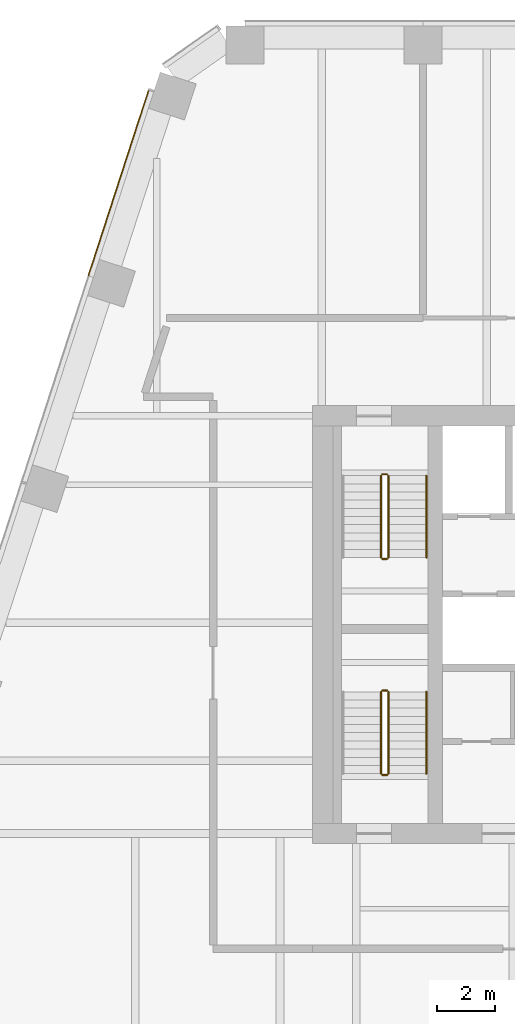
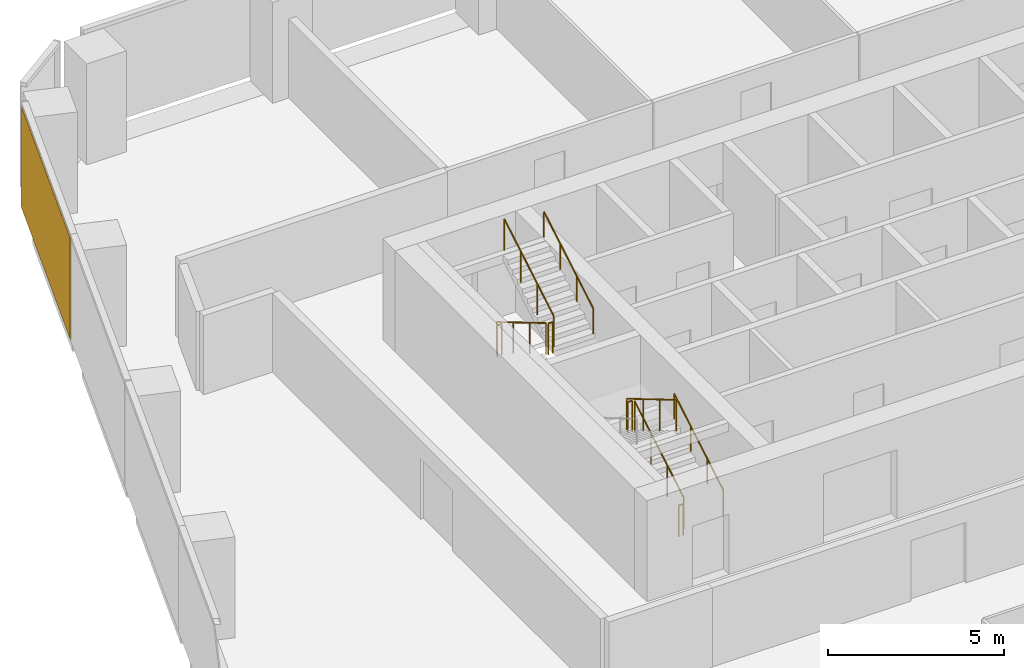
# One storey, part 15 of 16: 10 railings, 1 covering, 1 element without a shape of its own.
"""IFC4 building model written with IfcOpenShell, lengths in metres."""

import ifcopenshell
import ifcopenshell.guid

model = None  # the IFC model being written
_history = None  # IfcOwnerHistory: only IFC2X3 demands one
_inside = {}  # id of a spatial element -> (the spatial element, [elements in it])
_under = {}  # id of a project, library or spatial element -> (it, [spatial elements below it])
_declared = {}  # id of a project -> (the project, [libraries it declares])
_typed = {}  # id of a type object -> (the type object, [elements of that type])
_made_of = {}  # id of a material, layer set ... -> (it, [elements and type objects made of it])


def new_model(schema):
    """Start an empty IFC model of exactly this schema.

    Asked for "IFC4X3", IfcOpenShell would pick the latest addendum, in which some entities
    have other attributes; the version numbers below select the first issue.
    IFC2X3 requires an IfcOwnerHistory on every rooted entity: one is made here for all.
    """
    global model, _history
    if schema == "IFC4X3":
        model = ifcopenshell.file(schema_version=(4, 3, 0, 0))
    else:
        model = ifcopenshell.file(schema=schema)
    _inside.clear()
    _under.clear()
    _declared.clear()
    _typed.clear()
    _made_of.clear()
    _history = None
    if model.schema == "IFC2X3":
        org = make("IfcOrganization", Name="unknown")
        user = make(
            "IfcPersonAndOrganization",
            ThePerson=make("IfcPerson", FamilyName="unknown"),
            TheOrganization=org,
        )
        app = make(
            "IfcApplication",
            ApplicationDeveloper=org,
            Version="unknown",
            ApplicationFullName="unknown",
            ApplicationIdentifier="unknown",
        )
        _history = make(
            "IfcOwnerHistory",
            OwningUser=user,
            OwningApplication=app,
            ChangeAction="ADDED",
            CreationDate=0,
        )
    return model


def make(cls, **values):
    """One entity of the class cls with the attributes given. An attribute that is None is left unset."""
    return model.create_entity(
        cls, **{name: value for name, value in values.items() if value is not None}
    )


def rooted(cls, **values):
    """An entity with a GlobalId (a new one), such as an element, a storey or a relation."""
    return make(cls, GlobalId=ifcopenshell.guid.new(), OwnerHistory=_history, **values)


def si_unit(unit_type, name, prefix=None):
    """IfcSIUnit, for example si_unit("LENGTHUNIT", "METRE", prefix="MILLI")."""
    return make("IfcSIUnit", UnitType=unit_type, Prefix=prefix, Name=name)


def assignment(units):
    """IfcUnitAssignment: the units of a project."""
    return None if units is None else make("IfcUnitAssignment", Units=units)


def point(xyz):
    """IfcCartesianPoint."""
    return None if xyz is None else make("IfcCartesianPoint", Coordinates=xyz)


def direction(xyz):
    """IfcDirection."""
    return None if xyz is None else make("IfcDirection", DirectionRatios=xyz)


def frame(location, z_axis=None, x_axis=None):
    """IfcAxis2Placement3D, a coordinate frame: its origin and axes. An axis left out is left unset."""
    return make(
        "IfcAxis2Placement3D",
        Location=point(location),
        Axis=direction(z_axis),
        RefDirection=direction(x_axis),
    )


def frame_2d(location, x_axis=None):
    """IfcAxis2Placement2D, a coordinate frame in the plane: its origin and x axis."""
    return make(
        "IfcAxis2Placement2D", Location=point(location), RefDirection=direction(x_axis)
    )


def origin():
    """The frame at (0, 0, 0) with its axes left unset."""
    return frame((0.0, 0.0, 0.0))


def origin_2d():
    """The frame at (0, 0) in the plane with its x axis left unset."""
    return frame_2d((0.0, 0.0))


def place(relative_to, where):
    """IfcLocalPlacement: puts the frame where relative to a parent placement (None: the world)."""
    return make(
        "IfcLocalPlacement", PlacementRelTo=relative_to, RelativePlacement=where
    )


def context(
    kind, dimensions, precision=None, world=None, true_north=None, identifier=None
):
    """IfcGeometricRepresentationContext, for example the 3D "Model" context."""
    return make(
        "IfcGeometricRepresentationContext",
        ContextIdentifier=identifier,
        ContextType=kind,
        CoordinateSpaceDimension=dimensions,
        Precision=precision,
        WorldCoordinateSystem=world,
        TrueNorth=true_north,
    )


def subcontext(parent, identifier, kind, view, scale=None):
    """IfcGeometricRepresentationSubContext, for example "Body" below "Model"."""
    return make(
        "IfcGeometricRepresentationSubContext",
        ContextIdentifier=identifier,
        ContextType=kind,
        ParentContext=parent,
        TargetScale=scale,
        TargetView=view,
    )


def project(units=None, contexts=None):
    """IfcProject with its units and contexts."""
    return rooted(
        "IfcProject",
        Name="project",
        RepresentationContexts=contexts,
        UnitsInContext=assignment(units),
    )


def spatial(cls, under=None, at=None, **own):
    """A site, building, storey or space (cls), placed at a placement, below another one or the project."""
    s = rooted(cls, ObjectPlacement=at, **own)
    if under is not None:
        _under.setdefault(under.id(), (under, []))[1].append(s)
    return s


def profile(cls, at=None, kind="AREA", **sizes):
    """A parametric profile (cls). Its sizes go by their IFC names, for example OverallWidth=200.0."""
    return make(cls, ProfileType=kind, Position=at, **sizes)


def rectangle(**sizes):
    """IfcRectangleProfileDef."""
    return profile("IfcRectangleProfileDef", **sizes)


def circle(**sizes):
    """IfcCircleProfileDef."""
    return profile("IfcCircleProfileDef", **sizes)


def extrude(swept, where, along, depth):
    """IfcExtrudedAreaSolid: the profile swept, set in the frame where, extruded along a direction by depth."""
    return make(
        "IfcExtrudedAreaSolid",
        SweptArea=swept,
        Position=where,
        ExtrudedDirection=direction(along),
        Depth=depth,
    )


def shape(context_of_items, identifier, shape_type, items):
    """IfcShapeRepresentation: the items that make up one representation, for example the "Body"."""
    return make(
        "IfcShapeRepresentation",
        ContextOfItems=context_of_items,
        RepresentationIdentifier=identifier,
        RepresentationType=shape_type,
        Items=items,
    )


def material(Name=None, Category=None):
    """IfcMaterial."""
    return make("IfcMaterial", Name=Name, Category=Category)


def layer(
    of_material, thickness, ventilated=None, Name=None, Category=None, Priority=None
):
    """IfcMaterialLayer: one layer of a wall or slab, of a material (None: an air gap)."""
    return make(
        "IfcMaterialLayer",
        Material=of_material,
        LayerThickness=thickness,
        IsVentilated=ventilated,
        Name=Name,
        Category=Category,
        Priority=Priority,
    )


def layer_set(layers, Name=None):
    """IfcMaterialLayerSet."""
    return make("IfcMaterialLayerSet", MaterialLayers=layers, LayerSetName=Name)


def made_of(thing, what):
    """Note that an element or type object is made of a material, layer set ...; save() writes the relation."""
    if what is not None:
        _made_of.setdefault(what.id(), (what, []))[1].append(thing)
    return thing


def type_object(cls, material=None, **own):
    """A type object (cls), such as IfcWallType, which elements share."""
    return made_of(rooted(cls, **own), material)


def element(
    cls,
    number,
    at=None,
    inside=None,
    cuts=None,
    type_object=None,
    material=None,
    context=None,
    identifier="Body",
    shape_type=None,
    held_by="IfcProductDefinitionShape",
    body=None,
    shapes=None,
    **own,
):
    """One element of the class cls, such as IfcWall. Its Tag is "e" and its number.

    at: its placement. inside: the storey or other place that contains it. cuts: it is an
    opening in that element (IfcRelVoidsElement). A single representation is given by context,
    identifier, shape_type and body (its items); several are given by shapes. held_by: the class
    of the entity that holds the representations. save() writes the other relations.
    """
    e = rooted(cls, Tag="e%d" % number, ObjectPlacement=at, **own)
    if body is not None:
        shapes = [shape(context, identifier, shape_type, body)]
    if shapes is not None:
        e.Representation = make(held_by, Representations=shapes)
    if inside is not None:
        _inside.setdefault(inside.id(), (inside, []))[1].append(e)
    if cuts is not None:
        rooted(
            "IfcRelVoidsElement", RelatingBuildingElement=cuts, RelatedOpeningElement=e
        )
    if type_object is not None:
        _typed.setdefault(type_object.id(), (type_object, []))[1].append(e)
    return made_of(e, material)


def aggregate(whole, parts):
    """IfcRelAggregates: a whole, such as a stair, and the parts it consists of."""
    return rooted("IfcRelAggregates", RelatingObject=whole, RelatedObjects=parts)


def save(model, path):
    """Write the relations noted so far, then the file.

    IfcRelAggregates (storeys below a building ...), IfcRelContainedInSpatialStructure (elements
    in a storey), IfcRelDefinesByType, IfcRelAssociatesMaterial and IfcRelDeclares: one each for
    every whole, place, type object, material and project.
    """
    for whole, parts in _under.values():
        aggregate(whole, parts)
    for where, things in _inside.values():
        rooted(
            "IfcRelContainedInSpatialStructure",
            RelatedElements=things,
            RelatingStructure=where,
        )
    for kind, things in _typed.values():
        rooted("IfcRelDefinesByType", RelatedObjects=things, RelatingType=kind)
    for what, things in _made_of.values():
        rooted("IfcRelAssociatesMaterial", RelatedObjects=things, RelatingMaterial=what)
    for by, libraries in _declared.values():
        rooted("IfcRelDeclares", RelatingContext=by, RelatedDefinitions=libraries)
    model.write(path)


model = new_model("IFC4")

# Units and contexts
model_context = context("Model", 3, precision=1e-05, world=origin(), true_north=direction((0.0, 1.0)))
body_context = subcontext(model_context, "Body", "Model", "MODEL_VIEW")
ifc_project = project(units=[si_unit("LENGTHUNIT", "METRE"), si_unit("AREAUNIT", "SQUARE_METRE"), si_unit("VOLUMEUNIT", "CUBIC_METRE"), si_unit("PLANEANGLEUNIT", "RADIAN"), si_unit("MASSUNIT", "GRAM", prefix="KILO")], contexts=[model_context])

# Site, building, storey
site_placement = place(None, origin())
site = spatial("IfcSite", under=ifc_project, at=site_placement, CompositionType="ELEMENT")
building_placement = place(site_placement, origin())
building = spatial("IfcBuilding", under=site, at=building_placement, Name="Isthmus Gate Tower", CompositionType="ELEMENT")
storey_placement = place(building_placement, frame((0.0, 0.0, 196.35009765625)))
storey = spatial("IfcBuildingStorey", under=building, at=storey_placement, Name="L49", CompositionType="ELEMENT", Elevation=196.35009765625)

# Curtain wall, covering
ifc_material_1 = material(Name="Aluminium, pale champagne anodised", Category="aluminium")
ifc_layer_1 = layer(ifc_material_1, 0.199951171875)
ifc_layer_set_1 = layer_set([ifc_layer_1], Name="CW-1 UNITISED CURTAIN WALL 200 DEEP")
curtain_wall_type = type_object("IfcCurtainWallType", Name="CW-1 UNITISED CURTAIN WALL 200 DEEP", PredefinedType="NOTDEFINED", material=ifc_layer_set_1)
curtain_wall_placement = place(storey_placement, origin())
curtain_wall = element("IfcCurtainWall", 1, at=curtain_wall_placement, inside=storey, type_object=curtain_wall_type, Name="CW-1 NW L49", PredefinedType="NOTDEFINED")
ifc_material_2 = material(Name="Aluminium composite panel, pale champagne anodised", Category="aluminium")
ifc_layer_2 = layer(ifc_material_2, 0.035888671875)
ifc_layer_set_2 = layer_set([ifc_layer_2], Name="CW-1 PALE METAL PANEL 36")
covering_type = type_object("IfcCoveringType", Name="CW-1 PALE METAL PANEL 36", PredefinedType="CLADDING", material=ifc_layer_set_2)
covering_placement = place(storey_placement, frame((-21.6396484375, 22.619140625, 0.0), z_axis=(0.0, 0.0, 1.0), x_axis=(-0.309016994375, -0.951056516295, 0.0)))
covering = element("IfcCovering", 2, at=covering_placement, type_object=covering_type, Name="CW-1 pale metal panel", PredefinedType="CLADDING", context=body_context, shape_type="SweptSolid", body=[
    extrude(rectangle(XDim=6.680908203125, YDim=0.035888671875, at=origin_2d()), origin(), (0.0, 0.0, 1.0), 3.510009765625),
])
aggregate(curtain_wall, [covering])

# Railings
ifc_material_3 = material(Name="Stainless steel balustrade", Category="steel")
railing_type_1 = type_object("IfcRailingType", Name="STAIR GUARD 1100", PredefinedType="GUARDRAIL", material=ifc_material_3)
railing_1_placement = place(storey_placement, frame((-12.64990234375, 12.60009765625, 0.165771484375)))
element("IfcRailing", 3, at=railing_1_placement, inside=storey, type_object=railing_type_1, Name="L49 ST1 stair guard 1", PredefinedType="GUARDRAIL", context=body_context, shape_type="SweptSolid", body=[
    extrude(circle(Radius=0.02392578125, at=origin_2d()), frame((0.0, 0.0, 1.076171875), z_axis=(0.0, -0.860306154799, 0.50977771628), x_axis=(1.0, 0.0, 0.0)), (0.0, 0.0, 1.0), 3.254638671875),
    extrude(circle(Radius=0.02099609375, at=origin_2d()), origin(), (0.0, 0.0, 1.0), 1.052001953125),
    extrude(circle(Radius=0.02099609375, at=origin_2d()), frame((0.0, -0.933349609375, 0.552978515625)), (0.0, 0.0, 1.0), 1.052001953125),
    extrude(circle(Radius=0.02099609375, at=origin_2d()), frame((0.0, -1.86669921875, 1.106201171875)), (0.0, 0.0, 1.0), 1.052001953125),
    extrude(circle(Radius=0.02099609375, at=origin_2d()), frame((0.0, -2.800048828125, 1.6591796875)), (0.0, 0.0, 1.0), 1.052001953125),
])
railing_2_placement = place(storey_placement, frame((-12.60009765625, 9.75, 1.824951171875)))
element("IfcRailing", 4, at=railing_2_placement, inside=storey, type_object=railing_type_1, Name="L49 ST1 stair guard 2", PredefinedType="GUARDRAIL", context=body_context, shape_type="SweptSolid", body=[
    extrude(circle(Radius=0.02392578125, at=origin_2d()), frame((0.0, 0.0, 1.076171875), z_axis=(1.0, 0.0, 0.0), x_axis=(0.0, 1.0, 0.0)), (0.0, 0.0, 1.0), 0.150146484375),
    extrude(circle(Radius=0.02099609375, at=origin_2d()), origin(), (0.0, 0.0, 1.0), 1.052001953125),
    extrude(circle(Radius=0.02099609375, at=origin_2d()), frame((0.150146484375, 0.0, 0.0)), (0.0, 0.0, 1.0), 1.052001953125),
])
railing_3_placement = place(storey_placement, frame((-12.39990234375, 9.800048828125, 1.99072265625)))
element("IfcRailing", 5, at=railing_3_placement, inside=storey, type_object=railing_type_1, Name="L49 ST1 stair guard 3", PredefinedType="GUARDRAIL", context=body_context, shape_type="SweptSolid", body=[
    extrude(circle(Radius=0.02392578125, at=origin_2d()), frame((0.0, 0.0, 1.076171875), z_axis=(0.0, 0.860306154799, 0.50977771628), x_axis=(-1.0, 0.0, 0.0)), (0.0, 0.0, 1.0), 3.254638671875),
    extrude(circle(Radius=0.02099609375, at=origin_2d()), origin(), (0.0, 0.0, 1.0), 1.052001953125),
    extrude(circle(Radius=0.02099609375, at=origin_2d()), frame((0.0, 0.933349609375, 0.552978515625)), (0.0, 0.0, 1.0), 1.052001953125),
    extrude(circle(Radius=0.02099609375, at=origin_2d()), frame((0.0, 1.86669921875, 1.106201171875)), (0.0, 0.0, 1.0), 1.052001953125),
    extrude(circle(Radius=0.02099609375, at=origin_2d()), frame((0.0, 2.800048828125, 1.6591796875)), (0.0, 0.0, 1.0), 1.052001953125),
])
railing_4_placement = place(storey_placement, frame((-12.60009765625, 12.64990234375, 0.0)))
element("IfcRailing", 6, at=railing_4_placement, inside=storey, type_object=railing_type_1, Name="L49 ST1 stair guard 4", PredefinedType="GUARDRAIL", context=body_context, shape_type="SweptSolid", body=[
    extrude(circle(Radius=0.02392578125, at=origin_2d()), frame((0.0, 0.0, 1.076171875), z_axis=(1.0, 0.0, 0.0), x_axis=(0.0, 1.0, 0.0)), (0.0, 0.0, 1.0), 0.150146484375),
    extrude(circle(Radius=0.02099609375, at=origin_2d()), origin(), (0.0, 0.0, 1.0), 1.052001953125),
    extrude(circle(Radius=0.02099609375, at=origin_2d()), frame((0.150146484375, 0.0, 0.0)), (0.0, 0.0, 1.0), 1.052001953125),
])
railing_5_placement = place(storey_placement, frame((-12.39990234375, 2.39990234375, 0.165771484375)))
element("IfcRailing", 7, at=railing_5_placement, inside=storey, type_object=railing_type_1, Name="L49 ST7 stair guard 1", PredefinedType="GUARDRAIL", context=body_context, shape_type="SweptSolid", body=[
    extrude(circle(Radius=0.02392578125, at=origin_2d()), frame((0.0, 0.0, 1.076171875), z_axis=(0.0, 0.860306154799, 0.50977771628), x_axis=(-1.0, 0.0, 0.0)), (0.0, 0.0, 1.0), 3.254638671875),
    extrude(circle(Radius=0.02099609375, at=origin_2d()), origin(), (0.0, 0.0, 1.0), 1.052001953125),
    extrude(circle(Radius=0.02099609375, at=origin_2d()), frame((0.0, 0.933349609375, 0.552978515625)), (0.0, 0.0, 1.0), 1.052001953125),
    extrude(circle(Radius=0.02099609375, at=origin_2d()), frame((0.0, 1.86669921875, 1.106201171875)), (0.0, 0.0, 1.0), 1.052001953125),
    extrude(circle(Radius=0.02099609375, at=origin_2d()), frame((0.0, 2.800048828125, 1.6591796875)), (0.0, 0.0, 1.0), 1.052001953125),
])
railing_6_placement = place(storey_placement, frame((-12.449951171875, 5.25, 1.824951171875)))
element("IfcRailing", 8, at=railing_6_placement, inside=storey, type_object=railing_type_1, Name="L49 ST7 stair guard 2", PredefinedType="GUARDRAIL", context=body_context, shape_type="SweptSolid", body=[
    extrude(circle(Radius=0.02392578125, at=origin_2d()), frame((0.0, 0.0, 1.076171875), z_axis=(-1.0, 0.0, 0.0), x_axis=(0.0, -1.0, 0.0)), (0.0, 0.0, 1.0), 0.150146484375),
    extrude(circle(Radius=0.02099609375, at=origin_2d()), origin(), (0.0, 0.0, 1.0), 1.052001953125),
    extrude(circle(Radius=0.02099609375, at=origin_2d()), frame((-0.150146484375, 0.0, 0.0)), (0.0, 0.0, 1.0), 1.052001953125),
])
railing_7_placement = place(storey_placement, frame((-12.64990234375, 5.199951171875, 1.99072265625)))
element("IfcRailing", 9, at=railing_7_placement, inside=storey, type_object=railing_type_1, Name="L49 ST7 stair guard 3", PredefinedType="GUARDRAIL", context=body_context, shape_type="SweptSolid", body=[
    extrude(circle(Radius=0.02392578125, at=origin_2d()), frame((0.0, 0.0, 1.076171875), z_axis=(0.0, -0.860306154799, 0.50977771628), x_axis=(1.0, 0.0, 0.0)), (0.0, 0.0, 1.0), 3.254638671875),
    extrude(circle(Radius=0.02099609375, at=origin_2d()), origin(), (0.0, 0.0, 1.0), 1.052001953125),
    extrude(circle(Radius=0.02099609375, at=origin_2d()), frame((0.0, -0.933349609375, 0.552978515625)), (0.0, 0.0, 1.0), 1.052001953125),
    extrude(circle(Radius=0.02099609375, at=origin_2d()), frame((0.0, -1.86669921875, 1.106201171875)), (0.0, 0.0, 1.0), 1.052001953125),
    extrude(circle(Radius=0.02099609375, at=origin_2d()), frame((0.0, -2.800048828125, 1.6591796875)), (0.0, 0.0, 1.0), 1.052001953125),
])
railing_8_placement = place(storey_placement, frame((-12.449951171875, 2.35009765625, 0.0)))
element("IfcRailing", 10, at=railing_8_placement, inside=storey, type_object=railing_type_1, Name="L49 ST7 stair guard 4", PredefinedType="GUARDRAIL", context=body_context, shape_type="SweptSolid", body=[
    extrude(circle(Radius=0.02392578125, at=origin_2d()), frame((0.0, 0.0, 1.076171875), z_axis=(-1.0, 0.0, 0.0), x_axis=(0.0, -1.0, 0.0)), (0.0, 0.0, 1.0), 0.150146484375),
    extrude(circle(Radius=0.02099609375, at=origin_2d()), origin(), (0.0, 0.0, 1.0), 1.052001953125),
    extrude(circle(Radius=0.02099609375, at=origin_2d()), frame((-0.150146484375, 0.0, 0.0)), (0.0, 0.0, 1.0), 1.052001953125),
])
ifc_material_4 = material(Name="Stainless steel handrail", Category="steel")
railing_type_2 = type_object("IfcRailingType", Name="STAIR HANDRAIL 900", PredefinedType="HANDRAIL", material=ifc_material_4)
for number, where, name in (
    (11, (-11.10009765625, 9.800048828125, 1.99072265625), "L49 ST1 stair handrail 2"),
    (12, (-11.10009765625, 2.39990234375, 0.165771484375), "L49 ST7 stair handrail 1"),
):
    element("IfcRailing", number, at=place(storey_placement, frame(where)), inside=storey, type_object=railing_type_2, Name=name, PredefinedType="HANDRAIL", context=body_context, shape_type="SweptSolid", body=[
        extrude(circle(Radius=0.02392578125, at=origin_2d()), frame((0.0, 0.0, 0.8759765625), z_axis=(0.0, 0.860306154799, 0.50977771628), x_axis=(-1.0, 0.0, 0.0)), (0.0, 0.0, 1.0), 3.254638671875),
        extrude(circle(Radius=0.02099609375, at=origin_2d()), origin(), (0.0, 0.0, 1.0), 0.851806640625),
        extrude(circle(Radius=0.02099609375, at=origin_2d()), frame((0.0, 0.933349609375, 0.552978515625)), (0.0, 0.0, 1.0), 0.851806640625),
        extrude(circle(Radius=0.02099609375, at=origin_2d()), frame((0.0, 1.86669921875, 1.106201171875)), (0.0, 0.0, 1.0), 0.851806640625),
        extrude(circle(Radius=0.02099609375, at=origin_2d()), frame((0.0, 2.800048828125, 1.6591796875)), (0.0, 0.0, 1.0), 0.851806640625),
    ])

save(model, "model.ifc")
